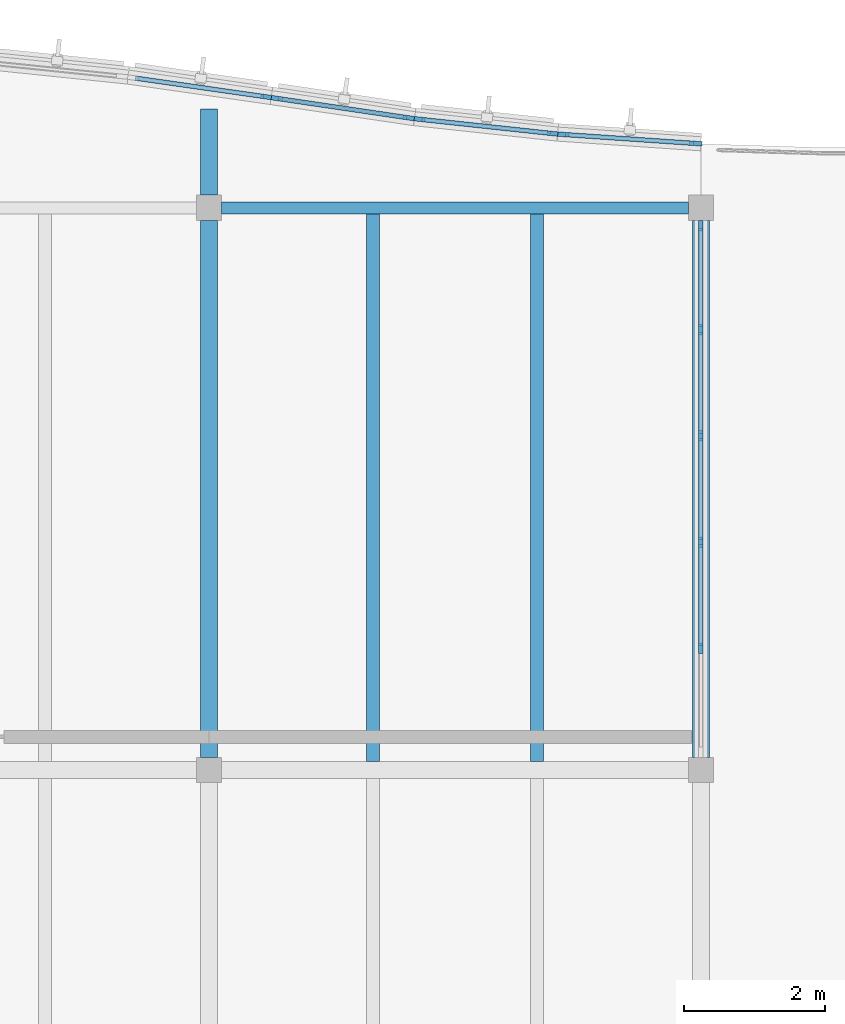
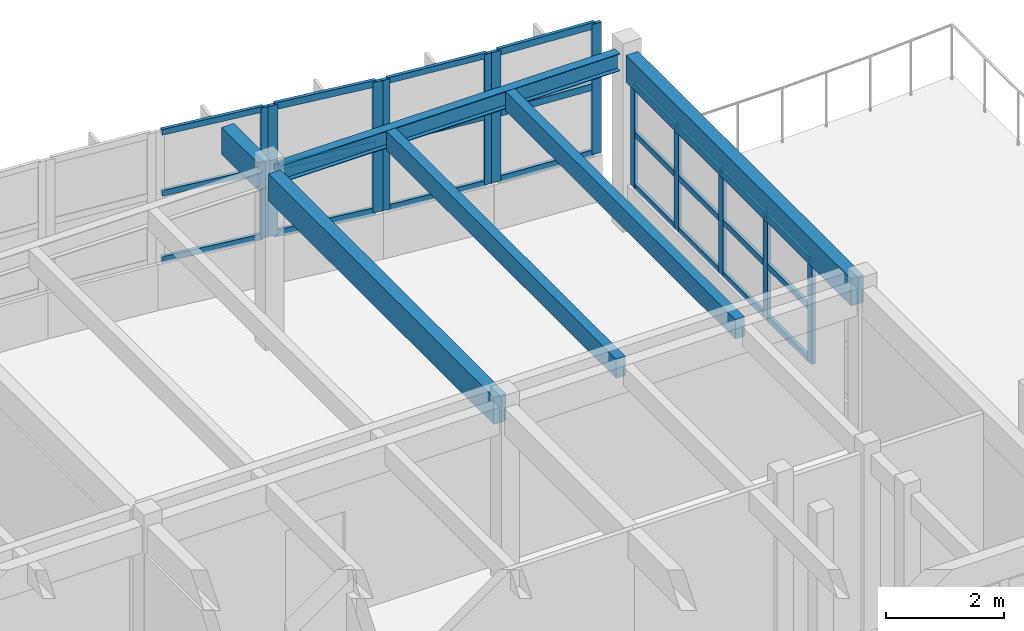
# One storey, part 27 of 63: 36 members, 6 beams, 5 elements without a shape of their own.
"""IFC4 building model written with IfcOpenShell, lengths in metres."""

from ifc_helpers import new_model, si_unit, direction, frame, origin, origin_2d, place, context, subcontext, project, spatial, rectangle, i_section, extrude, material, layer, layer_set, material_profile, profile_set, type_object, element, aggregate, save


model = new_model("IFC4")

# Units and contexts
model_context = context("Model", 3, precision=1e-05, world=origin(), true_north=direction((0.0, 1.0)))
body_context = subcontext(model_context, "Body", "Model", "MODEL_VIEW")
ifc_project = project(units=[si_unit("LENGTHUNIT", "METRE"), si_unit("AREAUNIT", "SQUARE_METRE"), si_unit("VOLUMEUNIT", "CUBIC_METRE"), si_unit("PLANEANGLEUNIT", "RADIAN"), si_unit("MASSUNIT", "GRAM", prefix="KILO")], contexts=[model_context])

# Site, building, storey
site_placement = place(None, origin())
site = spatial("IfcSite", under=ifc_project, at=site_placement, CompositionType="ELEMENT")
building_placement = place(site_placement, origin())
building = spatial("IfcBuilding", under=site, at=building_placement, Name="Tonlespit Floodbar School", CompositionType="ELEMENT")
storey_placement = place(building_placement, frame((0.0, 0.0, 8.39990234375)))
storey = spatial("IfcBuildingStorey", under=building, at=storey_placement, Name="L02", CompositionType="ELEMENT", Elevation=8.39990234375)

# Beams
ifc_material_1 = material(Name="Glulam GL28h", Category="wood")
ifc_material_profile_1 = material_profile(ifc_material_1, rectangle(XDim=0.239990234375, YDim=0.56005859375, at=origin_2d()), Name="GL 240x560")
ifc_profile_set_1 = profile_set([ifc_material_profile_1], Name="Glulam GL28h")
beam_type_1 = type_object("IfcBeamType", Name="Beam_GL_240x560", PredefinedType="BEAM", material=ifc_profile_set_1)
for number, where, z_axis, x_axis, name in (
    (1, (162.0, 112.179931640625, 3.364990234375), (0.0, 1.0, 0.0), (-1.0, 0.0, 0.0), "L02 girder 1057"),
    (2, (169.0, 112.179931640625, 3.3681640625), (0.0, 1.0, 0.0), (-1.0, 0.0, 0.0), "L02 girder 1059"),
):
    element("IfcBeam", number, at=place(storey_placement, frame(where, z_axis=z_axis, x_axis=x_axis)), inside=storey, type_object=beam_type_1, Name=name, PredefinedType="BEAM", context=body_context, shape_type="SweptSolid", body=[
        extrude(rectangle(XDim=0.239990234375, YDim=0.56005859375, at=origin_2d()), origin(), (0.0, 0.0, 1.0), 7.64013671875),
    ])
beam_1_placement = place(storey_placement, frame((162.0, 120.179931640625, 3.364990234375), z_axis=(0.0, 1.0, 0.0), x_axis=(-1.0, 0.0, 0.0)))
element("IfcBeam", 3, at=beam_1_placement, inside=storey, type_object=beam_type_1, Name="L02 north street wave cantilever bracket", PredefinedType="BEAM", context=body_context, shape_type="SweptSolid", body=[
    extrude(rectangle(XDim=0.239990234375, YDim=0.56005859375, at=origin_2d()), origin(), (0.0, 0.0, 1.0), 1.225830078125),
])

# Curtain wall, member
ifc_material_2 = material(Name="Anodised Aluminium", Category="aluminium")
ifc_layer_1 = layer(ifc_material_2, 0.159912109375)
ifc_layer_set_1 = layer_set([ifc_layer_1], Name="Anodised Aluminium")
curtain_wall_type_1 = type_object("IfcCurtainWallType", Name="CurtainWall_2000x2700", PredefinedType="NOTDEFINED", material=ifc_layer_set_1)
curtain_wall_1_placement = place(storey_placement, origin())
curtain_wall_1 = element("IfcCurtainWall", 4, at=curtain_wall_1_placement, inside=storey, type_object=curtain_wall_type_1, Name="L02 unitised curtain wall 0436", PredefinedType="NOTDEFINED")
ifc_material_profile_2 = material_profile(ifc_material_2, rectangle(XDim=0.06494140625, YDim=0.14990234375, at=origin_2d()), Name="ALU M65x150")
ifc_profile_set_2 = profile_set([ifc_material_profile_2], Name="Anodised Aluminium")
member_type_1 = type_object("IfcMemberType", Name="CW_Mullion_65x150", PredefinedType="MULLION", material=ifc_profile_set_2)
member_1_placement = place(storey_placement, frame((162.812744140625, 121.579345703125, 0.9501953125), z_axis=(0.0, 0.0, 1.0), x_axis=(0.141626491819, 0.98992016689, 0.0)))
member_1 = element("IfcMember", 5, at=member_1_placement, type_object=member_type_1, Name="CW-65 mullion 2", PredefinedType="MULLION", context=body_context, shape_type="SweptSolid", body=[
    extrude(rectangle(XDim=0.06494140625, YDim=0.14990234375, at=origin_2d()), origin(), (0.0, 0.0, 1.0), 2.699951171875),
])

# Curtain wall, members
ifc_layer_2 = layer(ifc_material_2, 0.159912109375)
ifc_layer_set_2 = layer_set([ifc_layer_2], Name="Anodised Aluminium")
curtain_wall_type_2 = type_object("IfcCurtainWallType", Name="CurtainWall_1950x2700", PredefinedType="NOTDEFINED", material=ifc_layer_set_2)
curtain_wall_2_placement = place(storey_placement, origin())
curtain_wall_2 = element("IfcCurtainWall", 6, at=curtain_wall_2_placement, inside=storey, type_object=curtain_wall_type_2, Name="L02 unitised curtain wall 0438", PredefinedType="NOTDEFINED")
member_2_placement = place(storey_placement, frame((164.9951171875, 121.260498046875, 0.9501953125), z_axis=(0.0, 0.0, 1.0), x_axis=(0.106898735815, 0.994269913193, 0.0)))
member_2 = element("IfcMember", 7, at=member_2_placement, type_object=member_type_1, Name="CW-04 mullion 1", PredefinedType="MULLION", context=body_context, shape_type="SweptSolid", body=[
    extrude(rectangle(XDim=0.06494140625, YDim=0.14990234375, at=origin_2d()), origin(), (0.0, 0.0, 1.0), 2.699951171875),
])
member_3_placement = place(storey_placement, frame((166.889404296875, 121.056884765625, 0.9501953125), z_axis=(0.0, 0.0, 1.0), x_axis=(0.106898735815, 0.994269913193, 0.0)))
member_3 = element("IfcMember", 8, at=member_3_placement, type_object=member_type_1, Name="CW-04 mullion 2", PredefinedType="MULLION", context=body_context, shape_type="SweptSolid", body=[
    extrude(rectangle(XDim=0.06494140625, YDim=0.14990234375, at=origin_2d()), origin(), (0.0, 0.0, 1.0), 2.699951171875),
])

ifc_layer_3 = layer(ifc_material_2, 0.159912109375)
ifc_layer_set_3 = layer_set([ifc_layer_3], Name="Anodised Aluminium")
curtain_wall_type_3 = type_object("IfcCurtainWallType", Name="CurtainWall_7550x2150", PredefinedType="NOTDEFINED", material=ifc_layer_set_3)
curtain_wall_3_placement = place(storey_placement, origin())
curtain_wall_3 = element("IfcCurtainWall", 9, at=curtain_wall_3_placement, inside=storey, type_object=curtain_wall_type_3, Name="L02 unitised curtain wall 0440", PredefinedType="NOTDEFINED")
member_4_placement = place(storey_placement, frame((169.0, 119.74755859375, 0.9501953125), z_axis=(0.0, 0.0, 1.0), x_axis=(1.0, 0.0, 0.0)))
member_4 = element("IfcMember", 10, at=member_4_placement, type_object=member_type_1, Name="CW-37 mullion 1", PredefinedType="MULLION", context=body_context, shape_type="SweptSolid", body=[
    extrude(rectangle(XDim=0.06494140625, YDim=0.14990234375, at=origin_2d()), origin(), (0.0, 0.0, 1.0), 2.137939453125),
])
member_5_placement = place(storey_placement, frame((169.0, 118.26806640625, 0.9501953125), z_axis=(0.0, 0.0, 1.0), x_axis=(1.0, 0.0, 0.0)))
member_5 = element("IfcMember", 11, at=member_5_placement, type_object=member_type_1, Name="CW-37 mullion 2", PredefinedType="MULLION", context=body_context, shape_type="SweptSolid", body=[
    extrude(rectangle(XDim=0.06494140625, YDim=0.14990234375, at=origin_2d()), origin(), (0.0, 0.0, 1.0), 2.137939453125),
])
member_6_placement = place(storey_placement, frame((169.0, 116.756103515625, 0.9501953125), z_axis=(0.0, 0.0, 1.0), x_axis=(1.0, 0.0, 0.0)))
member_6 = element("IfcMember", 12, at=member_6_placement, type_object=member_type_1, Name="CW-37 mullion 3", PredefinedType="MULLION", context=body_context, shape_type="SweptSolid", body=[
    extrude(rectangle(XDim=0.06494140625, YDim=0.14990234375, at=origin_2d()), origin(), (0.0, 0.0, 1.0), 2.137939453125),
])
member_7_placement = place(storey_placement, frame((169.0, 115.243896484375, 0.9501953125), z_axis=(0.0, 0.0, 1.0), x_axis=(1.0, 0.0, 0.0)))
member_7 = element("IfcMember", 13, at=member_7_placement, type_object=member_type_1, Name="CW-37 mullion 4", PredefinedType="MULLION", context=body_context, shape_type="SweptSolid", body=[
    extrude(rectangle(XDim=0.06494140625, YDim=0.14990234375, at=origin_2d()), origin(), (0.0, 0.0, 1.0), 2.137939453125),
])
member_8_placement = place(storey_placement, frame((169.0, 113.73193359375, 0.9501953125), z_axis=(0.0, 0.0, 1.0), x_axis=(1.0, 0.0, 0.0)))
member_8 = element("IfcMember", 14, at=member_8_placement, type_object=member_type_1, Name="CW-37 mullion 5", PredefinedType="MULLION", context=body_context, shape_type="SweptSolid", body=[
    extrude(rectangle(XDim=0.06494140625, YDim=0.14990234375, at=origin_2d()), origin(), (0.0, 0.0, 1.0), 2.137939453125),
])

curtain_wall_4_placement = place(storey_placement, origin())
curtain_wall_4 = element("IfcCurtainWall", 15, at=curtain_wall_4_placement, inside=storey, type_object=curtain_wall_type_1, Name="L02 unitised curtain wall 0437", PredefinedType="NOTDEFINED")
ifc_material_profile_3 = material_profile(ifc_material_2, rectangle(XDim=0.06494140625, YDim=0.179931640625, at=origin_2d()), Name="ALU M65x180")
ifc_profile_set_3 = profile_set([ifc_material_profile_3], Name="Anodised Aluminium")
member_type_2 = type_object("IfcMemberType", Name="CW_Mullion_65x180", PredefinedType="MULLION", material=ifc_profile_set_3)
member_9_placement = place(storey_placement, frame((162.956298828125, 121.558349609375, 0.9501953125), z_axis=(0.0, 0.0, 1.0), x_axis=(0.14602163026, 0.989281397529, 0.0)))
member_9 = element("IfcMember", 16, at=member_9_placement, type_object=member_type_2, Name="CW-65 mullion 1", PredefinedType="MULLION", context=body_context, shape_type="SweptSolid", body=[
    extrude(rectangle(XDim=0.06494140625, YDim=0.179931640625, at=origin_2d()), origin(), (0.0, 0.0, 1.0), 2.699951171875),
])
member_10_placement = place(storey_placement, frame((164.851318359375, 121.27880859375, 0.9501953125), z_axis=(0.0, 0.0, 1.0), x_axis=(0.14602163026, 0.989281397529, 0.0)))
member_10 = element("IfcMember", 17, at=member_10_placement, type_object=member_type_2, Name="CW-65 mullion 2", PredefinedType="MULLION", context=body_context, shape_type="SweptSolid", body=[
    extrude(rectangle(XDim=0.06494140625, YDim=0.179931640625, at=origin_2d()), origin(), (0.0, 0.0, 1.0), 2.699951171875),
])

curtain_wall_5_placement = place(storey_placement, origin())
curtain_wall_5 = element("IfcCurtainWall", 18, at=curtain_wall_5_placement, inside=storey, type_object=curtain_wall_type_2, Name="L02 unitised curtain wall 0439", PredefinedType="NOTDEFINED")
member_11_placement = place(storey_placement, frame((167.033935546875, 121.044189453125, 0.9501953125), z_axis=(0.0, 0.0, 1.0), x_axis=(0.067695477306, 0.997706030027, 0.0)))
member_11 = element("IfcMember", 19, at=member_11_placement, type_object=member_type_2, Name="CW-04 mullion 1", PredefinedType="MULLION", context=body_context, shape_type="SweptSolid", body=[
    extrude(rectangle(XDim=0.06494140625, YDim=0.179931640625, at=origin_2d()), origin(), (0.0, 0.0, 1.0), 2.699951171875),
])
member_12_placement = place(storey_placement, frame((168.927734375, 120.91552734375, 0.9501953125), z_axis=(0.0, 0.0, 1.0), x_axis=(0.067695477306, 0.997706030027, 0.0)))
member_12 = element("IfcMember", 20, at=member_12_placement, type_object=member_type_2, Name="CW-04 mullion 2", PredefinedType="MULLION", context=body_context, shape_type="SweptSolid", body=[
    extrude(rectangle(XDim=0.06494140625, YDim=0.179931640625, at=origin_2d()), origin(), (0.0, 0.0, 1.0), 2.699951171875),
])

# Member
ifc_material_profile_4 = material_profile(ifc_material_2, rectangle(XDim=0.06494140625, YDim=0.1201171875, at=origin_2d()), Name="ALU T65x120")
ifc_profile_set_4 = profile_set([ifc_material_profile_4], Name="Anodised Aluminium")
member_type_3 = type_object("IfcMemberType", Name="CW_Transom_65x120", PredefinedType="USERDEFINED", material=ifc_profile_set_4)
member_13_placement = place(storey_placement, frame((160.9501953125, 121.845703125, 0.982666015625), z_axis=(0.989933644286, -0.141532257492, 0.0), x_axis=(0.141532257492, 0.989933644286, 0.0)))
member_13 = element("IfcMember", 21, at=member_13_placement, type_object=member_type_3, Name="CW-65 transom 1.1", ObjectType="TRANSOM", PredefinedType="USERDEFINED", context=body_context, shape_type="SweptSolid", body=[
    extrude(rectangle(XDim=0.06494140625, YDim=0.1201171875, at=origin_2d()), origin(), (0.0, 0.0, 1.0), 1.84912109375),
])

member_14_placement = place(storey_placement, frame((160.9501953125, 121.845703125, 2.35400390625), z_axis=(0.989933644286, -0.141532257492, 0.0), x_axis=(0.141532257492, 0.989933644286, 0.0)))
member_14 = element("IfcMember", 22, at=member_14_placement, type_object=member_type_3, Name="CW-65 transom 1.2", ObjectType="TRANSOM", PredefinedType="USERDEFINED", context=body_context, shape_type="SweptSolid", body=[
    extrude(rectangle(XDim=0.06494140625, YDim=0.1201171875, at=origin_2d()), origin(), (0.0, 0.0, 1.0), 1.84912109375),
])

member_15_placement = place(storey_placement, frame((160.9501953125, 121.845703125, 3.61767578125), z_axis=(0.989933644286, -0.141532257492, 0.0), x_axis=(0.141532257492, 0.989933644286, 0.0)))
member_15 = element("IfcMember", 23, at=member_15_placement, type_object=member_type_3, Name="CW-65 transom 1.3", ObjectType="TRANSOM", PredefinedType="USERDEFINED", context=body_context, shape_type="SweptSolid", body=[
    extrude(rectangle(XDim=0.06494140625, YDim=0.1201171875, at=origin_2d()), origin(), (0.0, 0.0, 1.0), 1.84912109375),
])

aggregate(curtain_wall_1, [member_1, member_13, member_14, member_15])

member_16_placement = place(storey_placement, frame((165.027587890625, 121.2568359375, 0.982666015625), z_axis=(0.99428000486, -0.106804831053, 0.0), x_axis=(0.106804831053, 0.99428000486, 0.0)))
member_16 = element("IfcMember", 24, at=member_16_placement, type_object=member_type_3, Name="CW-04 transom 1.1", ObjectType="TRANSOM", PredefinedType="USERDEFINED", context=body_context, shape_type="SweptSolid", body=[
    extrude(rectangle(XDim=0.06494140625, YDim=0.1201171875, at=origin_2d()), origin(), (0.0, 0.0, 1.0), 1.840087890625),
])

member_17_placement = place(storey_placement, frame((165.027587890625, 121.2568359375, 2.35400390625), z_axis=(0.99428000486, -0.106804831053, 0.0), x_axis=(0.106804831053, 0.99428000486, 0.0)))
member_17 = element("IfcMember", 25, at=member_17_placement, type_object=member_type_3, Name="CW-04 transom 1.2", ObjectType="TRANSOM", PredefinedType="USERDEFINED", context=body_context, shape_type="SweptSolid", body=[
    extrude(rectangle(XDim=0.06494140625, YDim=0.1201171875, at=origin_2d()), origin(), (0.0, 0.0, 1.0), 1.840087890625),
])

member_18_placement = place(storey_placement, frame((165.027587890625, 121.2568359375, 3.61767578125), z_axis=(0.99428000486, -0.106804831053, 0.0), x_axis=(0.106804831053, 0.99428000486, 0.0)))
member_18 = element("IfcMember", 26, at=member_18_placement, type_object=member_type_3, Name="CW-04 transom 1.3", ObjectType="TRANSOM", PredefinedType="USERDEFINED", context=body_context, shape_type="SweptSolid", body=[
    extrude(rectangle(XDim=0.06494140625, YDim=0.1201171875, at=origin_2d()), origin(), (0.0, 0.0, 1.0), 1.840087890625),
])

aggregate(curtain_wall_2, [member_2, member_3, member_16, member_17, member_18])

member_19_placement = place(storey_placement, frame((169.0, 119.715087890625, 0.982666015625), z_axis=(0.0, -1.0, 0.0), x_axis=(1.0, 0.0, 0.0)))
member_19 = element("IfcMember", 27, at=member_19_placement, type_object=member_type_3, Name="CW-37 transom 1.1", ObjectType="TRANSOM", PredefinedType="USERDEFINED", context=body_context, shape_type="SweptSolid", body=[
    extrude(rectangle(XDim=0.06494140625, YDim=0.1201171875, at=origin_2d()), origin(), (0.0, 0.0, 1.0), 1.41455078125),
])

member_20_placement = place(storey_placement, frame((169.0, 119.715087890625, 2.06201171875), z_axis=(0.0, -1.0, 0.0), x_axis=(1.0, 0.0, 0.0)))
member_20 = element("IfcMember", 28, at=member_20_placement, type_object=member_type_3, Name="CW-37 transom 1.2", ObjectType="TRANSOM", PredefinedType="USERDEFINED", context=body_context, shape_type="SweptSolid", body=[
    extrude(rectangle(XDim=0.06494140625, YDim=0.1201171875, at=origin_2d()), origin(), (0.0, 0.0, 1.0), 1.41455078125),
])

member_21_placement = place(storey_placement, frame((169.0, 119.715087890625, 3.0556640625), z_axis=(0.0, -1.0, 0.0), x_axis=(1.0, 0.0, 0.0)))
member_21 = element("IfcMember", 29, at=member_21_placement, type_object=member_type_3, Name="CW-37 transom 1.3", ObjectType="TRANSOM", PredefinedType="USERDEFINED", context=body_context, shape_type="SweptSolid", body=[
    extrude(rectangle(XDim=0.06494140625, YDim=0.1201171875, at=origin_2d()), origin(), (0.0, 0.0, 1.0), 1.41455078125),
])

member_22_placement = place(storey_placement, frame((169.0, 118.235595703125, 0.982666015625), z_axis=(0.0, -1.0, 0.0), x_axis=(1.0, 0.0, 0.0)))
member_22 = element("IfcMember", 30, at=member_22_placement, type_object=member_type_3, Name="CW-37 transom 2.1", ObjectType="TRANSOM", PredefinedType="USERDEFINED", context=body_context, shape_type="SweptSolid", body=[
    extrude(rectangle(XDim=0.06494140625, YDim=0.1201171875, at=origin_2d()), origin(), (0.0, 0.0, 1.0), 1.447021484375),
])

member_23_placement = place(storey_placement, frame((169.0, 118.235595703125, 2.06201171875), z_axis=(0.0, -1.0, 0.0), x_axis=(1.0, 0.0, 0.0)))
member_23 = element("IfcMember", 31, at=member_23_placement, type_object=member_type_3, Name="CW-37 transom 2.2", ObjectType="TRANSOM", PredefinedType="USERDEFINED", context=body_context, shape_type="SweptSolid", body=[
    extrude(rectangle(XDim=0.06494140625, YDim=0.1201171875, at=origin_2d()), origin(), (0.0, 0.0, 1.0), 1.447021484375),
])

member_24_placement = place(storey_placement, frame((169.0, 118.235595703125, 3.0556640625), z_axis=(0.0, -1.0, 0.0), x_axis=(1.0, 0.0, 0.0)))
member_24 = element("IfcMember", 32, at=member_24_placement, type_object=member_type_3, Name="CW-37 transom 2.3", ObjectType="TRANSOM", PredefinedType="USERDEFINED", context=body_context, shape_type="SweptSolid", body=[
    extrude(rectangle(XDim=0.06494140625, YDim=0.1201171875, at=origin_2d()), origin(), (0.0, 0.0, 1.0), 1.447021484375),
])

member_25_placement = place(storey_placement, frame((169.0, 116.723388671875, 0.982666015625), z_axis=(0.0, -1.0, 0.0), x_axis=(1.0, 0.0, 0.0)))
member_25 = element("IfcMember", 33, at=member_25_placement, type_object=member_type_3, Name="CW-37 transom 3.1", ObjectType="TRANSOM", PredefinedType="USERDEFINED", context=body_context, shape_type="SweptSolid", body=[
    extrude(rectangle(XDim=0.06494140625, YDim=0.1201171875, at=origin_2d()), origin(), (0.0, 0.0, 1.0), 1.44677734375),
])

member_26_placement = place(storey_placement, frame((169.0, 116.723388671875, 2.06201171875), z_axis=(0.0, -1.0, 0.0), x_axis=(1.0, 0.0, 0.0)))
member_26 = element("IfcMember", 34, at=member_26_placement, type_object=member_type_3, Name="CW-37 transom 3.2", ObjectType="TRANSOM", PredefinedType="USERDEFINED", context=body_context, shape_type="SweptSolid", body=[
    extrude(rectangle(XDim=0.06494140625, YDim=0.1201171875, at=origin_2d()), origin(), (0.0, 0.0, 1.0), 1.44677734375),
])

member_27_placement = place(storey_placement, frame((169.0, 116.723388671875, 3.0556640625), z_axis=(0.0, -1.0, 0.0), x_axis=(1.0, 0.0, 0.0)))
member_27 = element("IfcMember", 35, at=member_27_placement, type_object=member_type_3, Name="CW-37 transom 3.3", ObjectType="TRANSOM", PredefinedType="USERDEFINED", context=body_context, shape_type="SweptSolid", body=[
    extrude(rectangle(XDim=0.06494140625, YDim=0.1201171875, at=origin_2d()), origin(), (0.0, 0.0, 1.0), 1.44677734375),
])

member_28_placement = place(storey_placement, frame((169.0, 115.21142578125, 0.982666015625), z_axis=(0.0, -1.0, 0.0), x_axis=(1.0, 0.0, 0.0)))
member_28 = element("IfcMember", 36, at=member_28_placement, type_object=member_type_3, Name="CW-37 transom 4.1", ObjectType="TRANSOM", PredefinedType="USERDEFINED", context=body_context, shape_type="SweptSolid", body=[
    extrude(rectangle(XDim=0.06494140625, YDim=0.1201171875, at=origin_2d()), origin(), (0.0, 0.0, 1.0), 1.447021484375),
])

member_29_placement = place(storey_placement, frame((169.0, 115.21142578125, 2.06201171875), z_axis=(0.0, -1.0, 0.0), x_axis=(1.0, 0.0, 0.0)))
member_29 = element("IfcMember", 37, at=member_29_placement, type_object=member_type_3, Name="CW-37 transom 4.2", ObjectType="TRANSOM", PredefinedType="USERDEFINED", context=body_context, shape_type="SweptSolid", body=[
    extrude(rectangle(XDim=0.06494140625, YDim=0.1201171875, at=origin_2d()), origin(), (0.0, 0.0, 1.0), 1.447021484375),
])

member_30_placement = place(storey_placement, frame((169.0, 115.21142578125, 3.0556640625), z_axis=(0.0, -1.0, 0.0), x_axis=(1.0, 0.0, 0.0)))
member_30 = element("IfcMember", 38, at=member_30_placement, type_object=member_type_3, Name="CW-37 transom 4.3", ObjectType="TRANSOM", PredefinedType="USERDEFINED", context=body_context, shape_type="SweptSolid", body=[
    extrude(rectangle(XDim=0.06494140625, YDim=0.1201171875, at=origin_2d()), origin(), (0.0, 0.0, 1.0), 1.447021484375),
])

aggregate(curtain_wall_3, [member_4, member_5, member_6, member_7, member_8, member_19, member_20, member_21, member_22, member_23, member_24, member_25, member_26, member_27, member_28, member_29, member_30])

ifc_material_profile_5 = material_profile(ifc_material_2, rectangle(XDim=0.06494140625, YDim=0.139892578125, at=origin_2d()), Name="ALU T65x140")
ifc_profile_set_5 = profile_set([ifc_material_profile_5], Name="Anodised Aluminium")
member_type_4 = type_object("IfcMemberType", Name="CW_Transom_65x140", PredefinedType="USERDEFINED", material=ifc_profile_set_5)
member_31_placement = place(storey_placement, frame((162.988525390625, 121.5537109375, 0.982666015625), z_axis=(0.989276304499, -0.146056130846, 0.0), x_axis=(0.146056130846, 0.989276304499, 0.0)))
member_31 = element("IfcMember", 39, at=member_31_placement, type_object=member_type_4, Name="CW-65 transom 1.1", ObjectType="TRANSOM", PredefinedType="USERDEFINED", context=body_context, shape_type="SweptSolid", body=[
    extrude(rectangle(XDim=0.06494140625, YDim=0.139892578125, at=origin_2d()), origin(), (0.0, 0.0, 1.0), 1.850341796875),
])

member_32_placement = place(storey_placement, frame((162.988525390625, 121.5537109375, 2.35400390625), z_axis=(0.989276304499, -0.146056130846, 0.0), x_axis=(0.146056130846, 0.989276304499, 0.0)))
member_32 = element("IfcMember", 40, at=member_32_placement, type_object=member_type_4, Name="CW-65 transom 1.2", ObjectType="TRANSOM", PredefinedType="USERDEFINED", context=body_context, shape_type="SweptSolid", body=[
    extrude(rectangle(XDim=0.06494140625, YDim=0.139892578125, at=origin_2d()), origin(), (0.0, 0.0, 1.0), 1.850341796875),
])

member_33_placement = place(storey_placement, frame((162.988525390625, 121.5537109375, 3.61767578125), z_axis=(0.989276304499, -0.146056130846, 0.0), x_axis=(0.146056130846, 0.989276304499, 0.0)))
member_33 = element("IfcMember", 41, at=member_33_placement, type_object=member_type_4, Name="CW-65 transom 1.3", ObjectType="TRANSOM", PredefinedType="USERDEFINED", context=body_context, shape_type="SweptSolid", body=[
    extrude(rectangle(XDim=0.06494140625, YDim=0.139892578125, at=origin_2d()), origin(), (0.0, 0.0, 1.0), 1.850341796875),
])

aggregate(curtain_wall_4, [member_9, member_10, member_31, member_32, member_33])

member_34_placement = place(storey_placement, frame((167.066162109375, 121.0419921875, 0.982666015625), z_axis=(0.997700095703, -0.067782881569, 0.0), x_axis=(0.067782881569, 0.997700095703, 0.0)))
member_34 = element("IfcMember", 42, at=member_34_placement, type_object=member_type_4, Name="CW-04 transom 1.1", ObjectType="TRANSOM", PredefinedType="USERDEFINED", context=body_context, shape_type="SweptSolid", body=[
    extrude(rectangle(XDim=0.06494140625, YDim=0.139892578125, at=origin_2d()), origin(), (0.0, 0.0, 1.0), 1.833251953125),
])

member_35_placement = place(storey_placement, frame((167.066162109375, 121.0419921875, 2.35400390625), z_axis=(0.997700095703, -0.067782881569, 0.0), x_axis=(0.067782881569, 0.997700095703, 0.0)))
member_35 = element("IfcMember", 43, at=member_35_placement, type_object=member_type_4, Name="CW-04 transom 1.2", ObjectType="TRANSOM", PredefinedType="USERDEFINED", context=body_context, shape_type="SweptSolid", body=[
    extrude(rectangle(XDim=0.06494140625, YDim=0.139892578125, at=origin_2d()), origin(), (0.0, 0.0, 1.0), 1.833251953125),
])

member_36_placement = place(storey_placement, frame((167.066162109375, 121.0419921875, 3.61767578125), z_axis=(0.997700095703, -0.067782881569, 0.0), x_axis=(0.067782881569, 0.997700095703, 0.0)))
member_36 = element("IfcMember", 44, at=member_36_placement, type_object=member_type_4, Name="CW-04 transom 1.3", ObjectType="TRANSOM", PredefinedType="USERDEFINED", context=body_context, shape_type="SweptSolid", body=[
    extrude(rectangle(XDim=0.06494140625, YDim=0.139892578125, at=origin_2d()), origin(), (0.0, 0.0, 1.0), 1.833251953125),
])

aggregate(curtain_wall_5, [member_11, member_12, member_34, member_35, member_36])

# Beams
ifc_material_profile_6 = material_profile(ifc_material_1, rectangle(XDim=0.179931640625, YDim=0.39990234375, at=origin_2d()), Name="GL 180x400")
ifc_profile_set_6 = profile_set([ifc_material_profile_6], Name="Glulam GL28h")
beam_type_2 = type_object("IfcBeamType", Name="Joist_GL_180x400", PredefinedType="JOIST", material=ifc_profile_set_6)
for number, where, z_axis, x_axis, name in (
    (45, (164.333251953125, 112.1201171875, 3.447998046875), (0.0, 1.0, 0.0), (-1.0, 0.0, 0.0), "L02 secondary joist 1141"),
    (46, (166.666748046875, 112.1201171875, 3.447998046875), (0.0, 1.0, 0.0), (-1.0, 0.0, 0.0), "L02 secondary joist 1142"),
):
    element("IfcBeam", number, at=place(storey_placement, frame(where, z_axis=z_axis, x_axis=x_axis)), inside=storey, type_object=beam_type_2, Name=name, PredefinedType="JOIST", context=body_context, shape_type="SweptSolid", body=[
        extrude(rectangle(XDim=0.179931640625, YDim=0.39990234375, at=origin_2d()), origin(), (0.0, 0.0, 1.0), 7.794921875),
    ])
ifc_material_3 = material(Name="Steel S355", Category="steel")
ifc_material_profile_7 = material_profile(ifc_material_3, i_section(OverallWidth=0.169921875, OverallDepth=0.360107421875, WebThickness=0.008056640625, FlangeThickness=0.0126953125, at=origin_2d()), Name="IPE 360")
ifc_profile_set_7 = profile_set([ifc_material_profile_7], Name="Steel S355")
beam_type_3 = type_object("IfcBeamType", Name="Spandrel_STL_IPE360", PredefinedType="SPANDREL", material=ifc_profile_set_7)
beam_2_placement = place(storey_placement, frame((162.179931640625, 120.0, 3.468017578125), z_axis=(1.0, 0.0, 0.0), x_axis=(0.0, 1.0, 0.0)))
element("IfcBeam", 47, at=beam_2_placement, inside=storey, type_object=beam_type_3, Name="L02 girder 0997", PredefinedType="SPANDREL", context=body_context, shape_type="SweptSolid", body=[
    extrude(i_section(OverallWidth=0.169921875, OverallDepth=0.360107421875, WebThickness=0.008056640625, FlangeThickness=0.0126953125, at=origin_2d()), origin(), (0.0, 0.0, 1.0), 6.64013671875),
])

save(model, "model.ifc")
